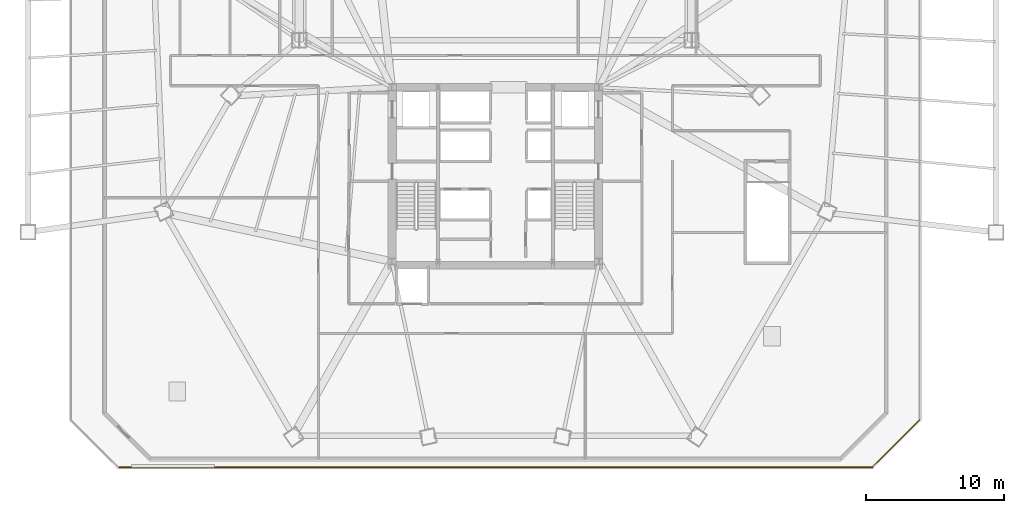
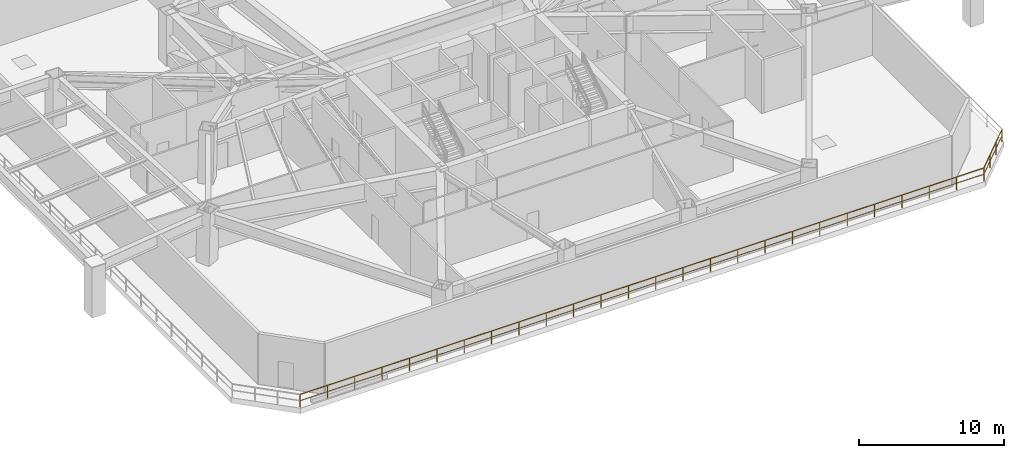
# One storey, part 11 of 13: 2 railings.
"""IFC4 building model written with IfcOpenShell, lengths in metres."""

from ifc_helpers import new_model, si_unit, direction, frame, origin, origin_2d, place, context, subcontext, project, spatial, rectangle, extrude, material, layer, layer_set, type_object, element, save


model = new_model("IFC4")

# Units and contexts
model_context = context("Model", 3, precision=1e-05, world=origin(), true_north=direction((0.0, 1.0)))
body_context = subcontext(model_context, "Body", "Model", "MODEL_VIEW")
ifc_project = project(units=[si_unit("LENGTHUNIT", "METRE"), si_unit("AREAUNIT", "SQUARE_METRE"), si_unit("VOLUMEUNIT", "CUBIC_METRE"), si_unit("PLANEANGLEUNIT", "RADIAN"), si_unit("MASSUNIT", "GRAM", prefix="KILO")], contexts=[model_context])

# Site, building, storey
site_placement = place(None, origin())
site = spatial("IfcSite", under=ifc_project, at=site_placement, CompositionType="ELEMENT")
building_placement = place(site_placement, origin())
building = spatial("IfcBuilding", under=site, at=building_placement, Name="Caelisora Broadcast Tower", CompositionType="ELEMENT")
storey_placement = place(building_placement, frame((0.0, 0.0, 23.10009765625)))
storey = spatial("IfcBuildingStorey", under=building, at=storey_placement, Name="L05", CompositionType="ELEMENT", Elevation=23.10009765625)

# Railings
ifc_material = material(Name="Laminated Glass and Stainless Steel Terrace Balustrade", Category="steel")
ifc_layer = layer(ifc_material, 0.048095703125, Name="Laminated Glass and Stainless Steel Terrace Balustrade")
ifc_layer_set = layer_set([ifc_layer], Name="Laminated Glass and Stainless Steel Terrace Balustrade")
railing_type = type_object("IfcRailingType", Name="BL-1", PredefinedType="BALUSTRADE", material=ifc_layer_set)
railing_1_placement = place(storey_placement, frame((68.679931640625, 5.949951171875, 0.0)))
element("IfcRailing", 1, at=railing_1_placement, inside=storey, type_object=railing_type, Name="L05 balustrade BL-1 #07", PredefinedType="BALUSTRADE", context=body_context, shape_type="SweptSolid", body=[
    extrude(rectangle(XDim=0.048095703125, YDim=0.048095703125, at=origin_2d()), frame((0.0, 0.0, 1.076171875), z_axis=(-0.707106781187, -0.707106781187, 0.0), x_axis=(0.707106781187, -0.707106781187, 0.0)), (0.0, 0.0, 1.0), 4.8505859375),
    extrude(rectangle(XDim=0.03125, YDim=0.03125, at=origin_2d()), frame((0.0, 0.0, 0.550048828125), z_axis=(-0.707106781187, -0.707106781187, 0.0), x_axis=(0.707106781187, -0.707106781187, 0.0)), (0.0, 0.0, 1.0), 4.8505859375),
    extrude(rectangle(XDim=0.0419921875, YDim=0.0419921875, at=origin_2d()), origin(), (0.0, 0.0, 1.0), 1.052001953125),
    extrude(rectangle(XDim=0.0419921875, YDim=0.0419921875, at=origin_2d()), frame((-1.143310546875, -1.143310546875, 0.0)), (0.0, 0.0, 1.0), 1.052001953125),
    extrude(rectangle(XDim=0.0419921875, YDim=0.0419921875, at=origin_2d()), frame((-2.28662109375, -2.28662109375, 0.0)), (0.0, 0.0, 1.0), 1.052001953125),
    extrude(rectangle(XDim=0.0419921875, YDim=0.0419921875, at=origin_2d()), frame((-3.429931640625, -3.429931640625, 0.0)), (0.0, 0.0, 1.0), 1.052001953125),
])
railing_2_placement = place(storey_placement, frame((65.25, 2.52001953125, 0.0)))
element("IfcRailing", 2, at=railing_2_placement, inside=storey, type_object=railing_type, Name="L05 balustrade BL-1 #08", PredefinedType="BALUSTRADE", context=body_context, shape_type="SweptSolid", body=[
    extrude(rectangle(XDim=0.048095703125, YDim=0.048095703125, at=origin_2d()), frame((0.0, 0.0, 1.076171875), z_axis=(-1.0, 0.0, 0.0), x_axis=(0.0, -1.0, 0.0)), (0.0, 0.0, 1.0), 54.5),
    extrude(rectangle(XDim=0.03125, YDim=0.03125, at=origin_2d()), frame((0.0, 0.0, 0.550048828125), z_axis=(-1.0, 0.0, 0.0), x_axis=(0.0, -1.0, 0.0)), (0.0, 0.0, 1.0), 54.5),
    extrude(rectangle(XDim=0.0419921875, YDim=0.0419921875, at=origin_2d()), origin(), (0.0, 0.0, 1.0), 1.052001953125),
    extrude(rectangle(XDim=0.0419921875, YDim=0.0419921875, at=origin_2d()), frame((-2.179931640625, 0.0, 0.0)), (0.0, 0.0, 1.0), 1.052001953125),
    extrude(rectangle(XDim=0.0419921875, YDim=0.0419921875, at=origin_2d()), frame((-4.360107421875, 0.0, 0.0)), (0.0, 0.0, 1.0), 1.052001953125),
    extrude(rectangle(XDim=0.0419921875, YDim=0.0419921875, at=origin_2d()), frame((-6.5400390625, 0.0, 0.0)), (0.0, 0.0, 1.0), 1.052001953125),
    extrude(rectangle(XDim=0.0419921875, YDim=0.0419921875, at=origin_2d()), frame((-8.719970703125, 0.0, 0.0)), (0.0, 0.0, 1.0), 1.052001953125),
    extrude(rectangle(XDim=0.0419921875, YDim=0.0419921875, at=origin_2d()), frame((-10.89990234375, 0.0, 0.0)), (0.0, 0.0, 1.0), 1.052001953125),
    extrude(rectangle(XDim=0.0419921875, YDim=0.0419921875, at=origin_2d()), frame((-13.080078125, 0.0, 0.0)), (0.0, 0.0, 1.0), 1.052001953125),
    extrude(rectangle(XDim=0.0419921875, YDim=0.0419921875, at=origin_2d()), frame((-15.260009765625, 0.0, 0.0)), (0.0, 0.0, 1.0), 1.052001953125),
    extrude(rectangle(XDim=0.0419921875, YDim=0.0419921875, at=origin_2d()), frame((-17.43994140625, 0.0, 0.0)), (0.0, 0.0, 1.0), 1.052001953125),
    extrude(rectangle(XDim=0.0419921875, YDim=0.0419921875, at=origin_2d()), frame((-19.6201171875, 0.0, 0.0)), (0.0, 0.0, 1.0), 1.052001953125),
    extrude(rectangle(XDim=0.0419921875, YDim=0.0419921875, at=origin_2d()), frame((-21.800048828125, 0.0, 0.0)), (0.0, 0.0, 1.0), 1.052001953125),
    extrude(rectangle(XDim=0.0419921875, YDim=0.0419921875, at=origin_2d()), frame((-23.97998046875, 0.0, 0.0)), (0.0, 0.0, 1.0), 1.052001953125),
    extrude(rectangle(XDim=0.0419921875, YDim=0.0419921875, at=origin_2d()), frame((-26.159912109375, 0.0, 0.0)), (0.0, 0.0, 1.0), 1.052001953125),
    extrude(rectangle(XDim=0.0419921875, YDim=0.0419921875, at=origin_2d()), frame((-28.340087890625, 0.0, 0.0)), (0.0, 0.0, 1.0), 1.052001953125),
    extrude(rectangle(XDim=0.0419921875, YDim=0.0419921875, at=origin_2d()), frame((-30.52001953125, 0.0, 0.0)), (0.0, 0.0, 1.0), 1.052001953125),
    extrude(rectangle(XDim=0.0419921875, YDim=0.0419921875, at=origin_2d()), frame((-32.699951171875, 0.0, 0.0)), (0.0, 0.0, 1.0), 1.052001953125),
    extrude(rectangle(XDim=0.0419921875, YDim=0.0419921875, at=origin_2d()), frame((-34.8798828125, 0.0, 0.0)), (0.0, 0.0, 1.0), 1.052001953125),
    extrude(rectangle(XDim=0.0419921875, YDim=0.0419921875, at=origin_2d()), frame((-37.06005859375, 0.0, 0.0)), (0.0, 0.0, 1.0), 1.052001953125),
    extrude(rectangle(XDim=0.0419921875, YDim=0.0419921875, at=origin_2d()), frame((-39.239990234375, 0.0, 0.0)), (0.0, 0.0, 1.0), 1.052001953125),
    extrude(rectangle(XDim=0.0419921875, YDim=0.0419921875, at=origin_2d()), frame((-41.419921875, 0.0, 0.0)), (0.0, 0.0, 1.0), 1.052001953125),
    extrude(rectangle(XDim=0.0419921875, YDim=0.0419921875, at=origin_2d()), frame((-43.60009765625, 0.0, 0.0)), (0.0, 0.0, 1.0), 1.052001953125),
    extrude(rectangle(XDim=0.0419921875, YDim=0.0419921875, at=origin_2d()), frame((-45.780029296875, 0.0, 0.0)), (0.0, 0.0, 1.0), 1.052001953125),
    extrude(rectangle(XDim=0.0419921875, YDim=0.0419921875, at=origin_2d()), frame((-47.9599609375, 0.0, 0.0)), (0.0, 0.0, 1.0), 1.052001953125),
    extrude(rectangle(XDim=0.0419921875, YDim=0.0419921875, at=origin_2d()), frame((-50.139892578125, 0.0, 0.0)), (0.0, 0.0, 1.0), 1.052001953125),
    extrude(rectangle(XDim=0.0419921875, YDim=0.0419921875, at=origin_2d()), frame((-52.320068359375, 0.0, 0.0)), (0.0, 0.0, 1.0), 1.052001953125),
    extrude(rectangle(XDim=0.0419921875, YDim=0.0419921875, at=origin_2d()), frame((-54.5, 0.0, 0.0)), (0.0, 0.0, 1.0), 1.052001953125),
])

save(model, "model.ifc")
